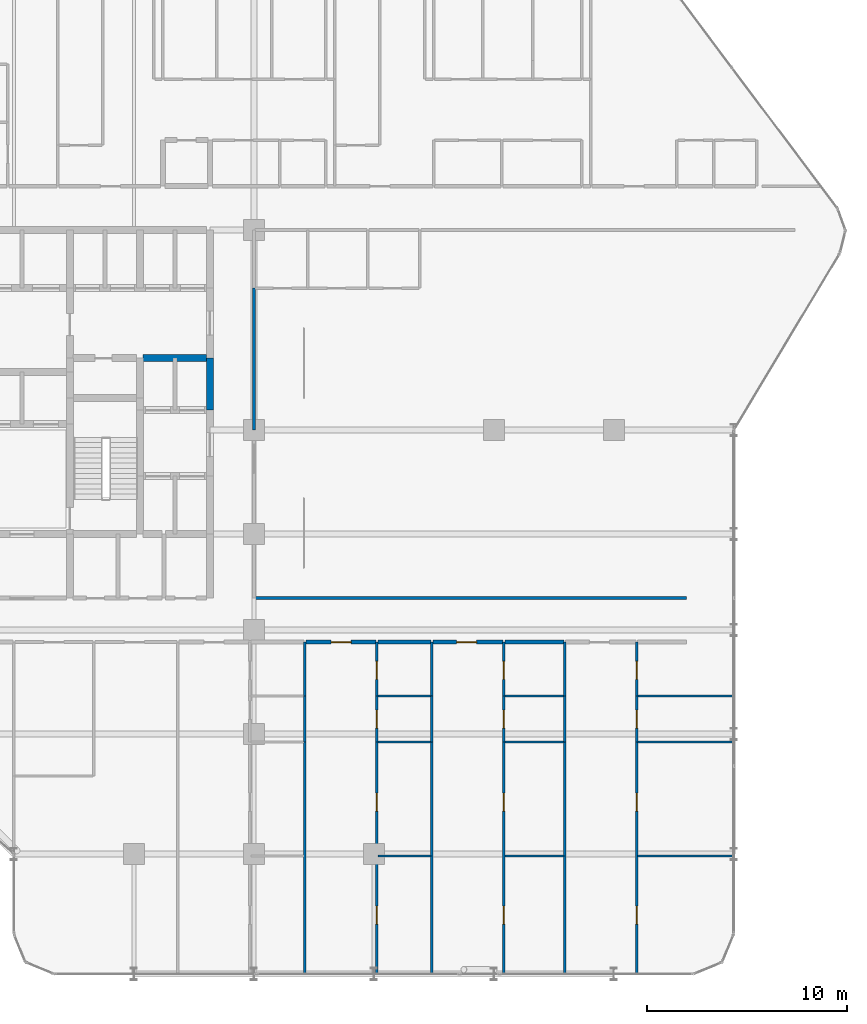
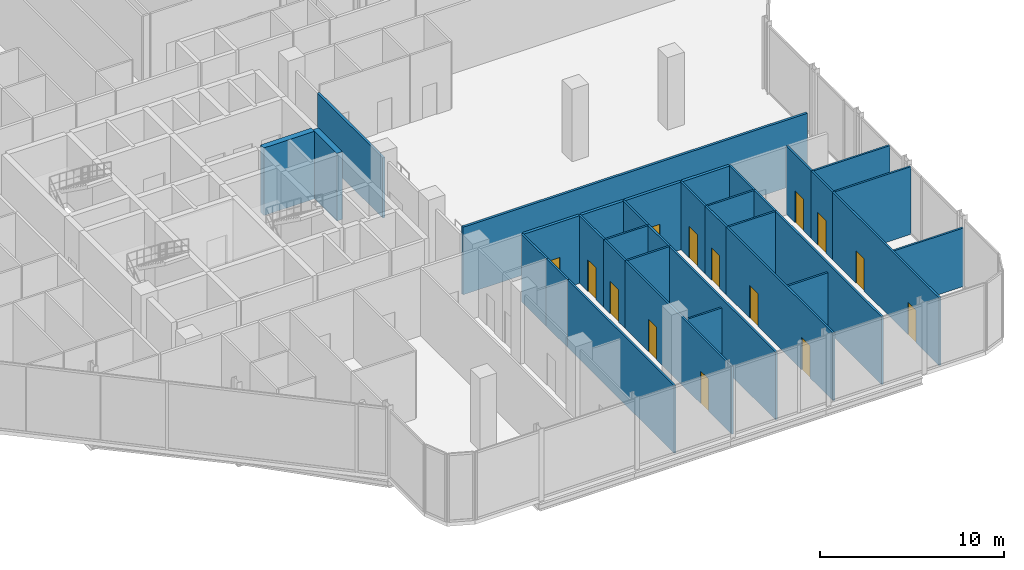
# One storey, part 25 of 29: 35 walls, 14 doors, 14 openings.
"""IFC4 building model written with IfcOpenShell, lengths in metres."""

from ifc_helpers import new_model, si_unit, direction, frame, frame_2d, origin, place, context, subcontext, project, spatial, rectangle, extrude, material, layer, layer_set, type_object, element, fill, save


model = new_model("IFC4")

# Units and contexts
model_context = context("Model", 3, precision=1e-05, world=origin(), true_north=direction((0.0, 1.0)))
body_context = subcontext(model_context, "Body", "Model", "MODEL_VIEW")
ifc_project = project(units=[si_unit("LENGTHUNIT", "METRE"), si_unit("AREAUNIT", "SQUARE_METRE"), si_unit("VOLUMEUNIT", "CUBIC_METRE"), si_unit("PLANEANGLEUNIT", "RADIAN"), si_unit("MASSUNIT", "GRAM", prefix="KILO")], contexts=[model_context])

# Site, building, storey
site_placement = place(None, origin())
site = spatial("IfcSite", under=ifc_project, at=site_placement, CompositionType="ELEMENT")
building_placement = place(site_placement, origin())
building = spatial("IfcBuilding", under=site, at=building_placement, Name="Keshet Zoharim Tower", CompositionType="ELEMENT")
storey_placement = place(building_placement, frame((0.0, 0.0, 120.5)))
storey = spatial("IfcBuildingStorey", under=building, at=storey_placement, Name="L29", CompositionType="ELEMENT", Elevation=120.5)

# Walls
ifc_material_1 = material(Name="Gypsum Plasterboard", Category="gypsum")
ifc_layer_1 = layer(ifc_material_1, 0.14990234375)
ifc_layer_set_1 = layer_set([ifc_layer_1], Name="Gypsum Plasterboard")
wall_type_1 = type_object("IfcWallType", Name="WL-CLIN-150", PredefinedType="STANDARD", material=ifc_layer_set_1)
wall_1_placement = place(storey_placement, frame((33.06005859375, 19.5, 0.0), z_axis=(0.0, 0.0, 1.0), x_axis=(1.0, 0.0, 0.0)))
element("IfcWall", 1, at=wall_1_placement, inside=storey, type_object=wall_type_1, Name="L29 Interior Wall 148", PredefinedType="STANDARD", context=body_context, shape_type="SweptSolid", body=[
    extrude(rectangle(XDim=21.579833984375, YDim=0.14990234375, at=frame_2d((10.7900390625, 0.0))), origin(), (0.0, 0.0, 1.0), 4.47998046875),
])
wall_2_placement = place(storey_placement, frame((33.0, 27.89990234375, 0.0), z_axis=(0.0, 0.0, 1.0), x_axis=(0.0, 1.0, 0.0)))
element("IfcWall", 2, at=wall_2_placement, inside=storey, type_object=wall_type_1, Name="L29 Interior Wall 071 Part 2", PredefinedType="STANDARD", context=body_context, shape_type="SweptSolid", body=[
    extrude(rectangle(XDim=7.10009765625, YDim=0.14990234375, at=frame_2d((3.550048828125, 0.0))), origin(), (0.0, 0.0, 1.0), 3.97998046875),
])
ifc_material_2 = material(Name="Concrete C60/75", Category="concrete")
ifc_layer_2 = layer(ifc_material_2, 0.35009765625)
ifc_layer_set_2 = layer_set([ifc_layer_2], Name="Concrete C60/75")
wall_type_2 = type_object("IfcWallType", Name="WL-CORE-350", PredefinedType="SHEAR", material=ifc_layer_set_2)
wall_3_placement = place(storey_placement, frame((30.800048828125, 28.89990234375, 0.0), z_axis=(0.0, 0.0, 1.0), x_axis=(0.0, 1.0, 0.0)))
element("IfcWall", 3, at=wall_3_placement, inside=storey, type_object=wall_type_2, Name="L29 Core Shear Wall 063", PredefinedType="SHEAR", context=body_context, shape_type="SweptSolid", body=[
    extrude(rectangle(XDim=2.60009765625, YDim=0.35009765625, at=frame_2d((1.300048828125, 0.0))), origin(), (0.0, 0.0, 1.0), 4.47998046875),
])
wall_4_placement = place(storey_placement, frame((27.4599609375, 31.5, 0.0), z_axis=(0.0, 0.0, 1.0), x_axis=(1.0, 0.0, 0.0)))
element("IfcWall", 4, at=wall_4_placement, inside=storey, type_object=wall_type_2, Name="L29 Core Shear Wall 171", PredefinedType="SHEAR", context=body_context, shape_type="SweptSolid", body=[
    extrude(rectangle(XDim=3.179931640625, YDim=0.35009765625, at=frame_2d((1.58984375, 0.0))), origin(), (0.0, 0.0, 1.0), 4.47998046875),
])

# Wall, opening, door
ifc_layer_3 = layer(ifc_material_1, 0.179931640625)
ifc_layer_set_3 = layer_set([ifc_layer_3], Name="Gypsum Plasterboard")
wall_type_3 = type_object("IfcWallType", Name="WL-CORR-180", PredefinedType="STANDARD", material=ifc_layer_set_3)
wall_5_placement = place(storey_placement, frame((35.60498046875, 17.300048828125, 0.0), z_axis=(0.0, 0.0, 1.0), x_axis=(1.0, 0.0, 0.0)))
wall_5 = element("IfcWall", 5, at=wall_5_placement, inside=storey, type_object=wall_type_3, Name="L29 Interior Wall 138", PredefinedType="STANDARD", context=body_context, shape_type="SweptSolid", body=[
    extrude(rectangle(XDim=3.510009765625, YDim=0.179931640625, at=frame_2d((1.7548828125, 0.0))), origin(), (0.0, 0.0, 1.0), 4.47998046875),
])
opening_1_placement = place(wall_5_placement, frame((1.2548828125, 0.0, 0.0)))
opening_1 = element("IfcOpeningElement", 6, at=opening_1_placement, cuts=wall_5, Name="Opening D-F310", PredefinedType="OPENING", context=body_context, shape_type="SweptSolid", body=[
    extrude(rectangle(XDim=1.0, YDim=2.14990234375, at=frame_2d((0.5, 1.074951171875))), frame((0.0, 0.10009765625, 0.0), z_axis=(0.0, -1.0, 0.0), x_axis=(1.0, 0.0, 0.0)), (0.0, 0.0, 1.0), 0.199951171875),
])
ifc_material_3 = material(Name="Hardwood Timber", Category="wood")
door_type_1 = type_object("IfcDoorType", Name="DR-FD30-100", OperationType="NOTDEFINED", PredefinedType="DOOR", material=ifc_material_3)
door_1_placement = place(opening_1_placement, origin())
door_1 = element("IfcDoor", 7, at=door_1_placement, inside=storey, type_object=door_type_1, Name="Apartment 2903 Entrance Door", OperationType="SINGLE_SWING_RIGHT", OverallHeight=2.14990234375, OverallWidth=1.0, PredefinedType="DOOR", context=body_context, shape_type="SweptSolid", body=[
    extrude(rectangle(XDim=1.0, YDim=2.14990234375, at=frame_2d((0.5, 1.074951171875))), frame((0.0, 0.02490234375, 0.0), z_axis=(0.0, -1.0, 0.0), x_axis=(1.0, 0.0, 0.0)), (0.0, 0.0, 1.0), 0.050048828125),
])
fill(opening_1, door_1)

# Wall
wall_6_placement = place(storey_placement, frame((39.205078125, 17.300048828125, 0.0), z_axis=(0.0, 0.0, 1.0), x_axis=(1.0, 0.0, 0.0)))
element("IfcWall", 8, at=wall_6_placement, inside=storey, type_object=wall_type_3, Name="L29 Interior Wall 139", PredefinedType="STANDARD", context=body_context, shape_type="SweptSolid", body=[
    extrude(rectangle(XDim=2.659912109375, YDim=0.179931640625, at=frame_2d((1.330078125, 0.0))), origin(), (0.0, 0.0, 1.0), 4.47998046875),
])

# Wall, opening, door
wall_7_placement = place(storey_placement, frame((41.955078125, 17.300048828125, 0.0), z_axis=(0.0, 0.0, 1.0), x_axis=(1.0, 0.0, 0.0)))
wall_7 = element("IfcWall", 9, at=wall_7_placement, inside=storey, type_object=wall_type_3, Name="L29 Interior Wall 140", PredefinedType="STANDARD", context=body_context, shape_type="SweptSolid", body=[
    extrude(rectangle(XDim=3.510009765625, YDim=0.179931640625, at=frame_2d((1.7548828125, 0.0))), origin(), (0.0, 0.0, 1.0), 4.47998046875),
])
opening_2_placement = place(wall_7_placement, frame((1.18505859375, 0.0, 0.0)))
opening_2 = element("IfcOpeningElement", 10, at=opening_2_placement, cuts=wall_7, Name="Opening D-F310", PredefinedType="OPENING", context=body_context, shape_type="SweptSolid", body=[
    extrude(rectangle(XDim=1.0, YDim=2.14990234375, at=frame_2d((0.5, 1.074951171875))), frame((0.0, 0.10009765625, 0.0), z_axis=(0.0, -1.0, 0.0), x_axis=(1.0, 0.0, 0.0)), (0.0, 0.0, 1.0), 0.199951171875),
])
door_2_placement = place(opening_2_placement, origin())
door_2 = element("IfcDoor", 11, at=door_2_placement, inside=storey, type_object=door_type_1, Name="Apartment 2904 Entrance Door", OperationType="SINGLE_SWING_LEFT", OverallHeight=2.14990234375, OverallWidth=1.0, PredefinedType="DOOR", context=body_context, shape_type="SweptSolid", body=[
    extrude(rectangle(XDim=1.0, YDim=2.14990234375, at=frame_2d((0.5, 1.074951171875))), frame((0.0, 0.02490234375, 0.0), z_axis=(0.0, -1.0, 0.0), x_axis=(1.0, 0.0, 0.0)), (0.0, 0.0, 1.0), 0.050048828125),
])
fill(opening_2, door_2)

# Walls
wall_8_placement = place(storey_placement, frame((45.554931640625, 17.300048828125, 0.0), z_axis=(0.0, 0.0, 1.0), x_axis=(1.0, 0.0, 0.0)))
element("IfcWall", 12, at=wall_8_placement, inside=storey, type_object=wall_type_3, Name="L29 Interior Wall 141", PredefinedType="STANDARD", context=body_context, shape_type="SweptSolid", body=[
    extrude(rectangle(XDim=2.949951171875, YDim=0.179931640625, at=frame_2d((1.47509765625, 0.0))), origin(), (0.0, 0.0, 1.0), 4.47998046875),
])
ifc_layer_4 = layer(ifc_material_1, 0.1201171875)
ifc_layer_set_4 = layer_set([ifc_layer_4], Name="Gypsum Plasterboard")
wall_type_4 = type_object("IfcWallType", Name="WL-PART-120", PredefinedType="PARTITIONING", material=ifc_layer_set_4)
wall_9_placement = place(storey_placement, frame((35.550048828125, 0.7099609375, 0.0), z_axis=(0.0, 0.0, 1.0), x_axis=(0.0, 1.0, 0.0)))
element("IfcWall", 13, at=wall_9_placement, inside=storey, type_object=wall_type_4, Name="L29 Interior Wall 075", PredefinedType="PARTITIONING", context=body_context, shape_type="SweptSolid", body=[
    extrude(rectangle(XDim=11.590087890625, YDim=0.1201171875, at=frame_2d((5.794921875, 0.0))), origin(), (0.0, 0.0, 1.0), 4.47998046875),
])
wall_10_placement = place(storey_placement, frame((35.550048828125, 12.300048828125, 0.0), z_axis=(0.0, 0.0, 1.0), x_axis=(0.0, 1.0, 0.0)))
element("IfcWall", 14, at=wall_10_placement, inside=storey, type_object=wall_type_4, Name="L29 Interior Wall 076", PredefinedType="PARTITIONING", context=body_context, shape_type="SweptSolid", body=[
    extrude(rectangle(XDim=2.300048828125, YDim=0.1201171875, at=frame_2d((1.14990234375, 0.0))), origin(), (0.0, 0.0, 1.0), 4.47998046875),
])

# Wall, openings, doors
wall_11_placement = place(storey_placement, frame((39.14990234375, 0.7099609375, 0.0), z_axis=(0.0, 0.0, 1.0), x_axis=(0.0, 1.0, 0.0)))
wall_11 = element("IfcWall", 15, at=wall_11_placement, inside=storey, type_object=wall_type_4, Name="L29 Interior Wall 085", PredefinedType="PARTITIONING", context=body_context, shape_type="SweptSolid", body=[
    extrude(rectangle(XDim=11.590087890625, YDim=0.1201171875, at=frame_2d((5.794921875, 0.0))), origin(), (0.0, 0.0, 1.0), 4.47998046875),
])
opening_3_placement = place(wall_11_placement, frame((2.489990234375, 0.0, 0.0)))
opening_3 = element("IfcOpeningElement", 16, at=opening_3_placement, cuts=wall_11, Name="Opening D-IN90", PredefinedType="OPENING", context=body_context, shape_type="SweptSolid", body=[
    extrude(rectangle(XDim=0.89990234375, YDim=2.14990234375, at=frame_2d((0.449951171875, 1.074951171875))), frame((0.0, 0.070068359375, 0.0), z_axis=(0.0, -1.0, 0.0), x_axis=(1.0, 0.0, 0.0)), (0.0, 0.0, 1.0), 0.14013671875),
])
opening_4_placement = place(wall_11_placement, frame((8.133056640625, 0.0, 0.0)))
opening_4 = element("IfcOpeningElement", 17, at=opening_4_placement, cuts=wall_11, Name="Opening D-IN90", PredefinedType="OPENING", context=body_context, shape_type="SweptSolid", body=[
    extrude(rectangle(XDim=0.89990234375, YDim=2.14990234375, at=frame_2d((0.449951171875, 1.074951171875))), frame((0.0, 0.070068359375, 0.0), z_axis=(0.0, -1.0, 0.0), x_axis=(1.0, 0.0, 0.0)), (0.0, 0.0, 1.0), 0.14013671875),
])
door_type_2 = type_object("IfcDoorType", Name="DR-INT-090", OperationType="NOTDEFINED", PredefinedType="DOOR", material=ifc_material_3)
door_3_placement = place(opening_3_placement, origin())
door_3 = element("IfcDoor", 18, at=door_3_placement, inside=storey, type_object=door_type_2, Name="Apartment 2903 Bedroom 1 Door", OperationType="SINGLE_SWING_RIGHT", OverallHeight=2.14990234375, OverallWidth=0.89990234375, PredefinedType="DOOR", context=body_context, shape_type="SweptSolid", body=[
    extrude(rectangle(XDim=0.89990234375, YDim=2.14990234375, at=frame_2d((0.449951171875, 1.074951171875))), frame((0.0, 0.02490234375, 0.0), z_axis=(0.0, -1.0, 0.0), x_axis=(1.0, 0.0, 0.0)), (0.0, 0.0, 1.0), 0.050048828125),
])
fill(opening_3, door_3)
door_4_placement = place(opening_4_placement, origin())
door_4 = element("IfcDoor", 19, at=door_4_placement, inside=storey, type_object=door_type_2, Name="Apartment 2903 Bedroom 2 Door", OperationType="SINGLE_SWING_LEFT", OverallHeight=2.14990234375, OverallWidth=0.89990234375, PredefinedType="DOOR", context=body_context, shape_type="SweptSolid", body=[
    extrude(rectangle(XDim=0.89990234375, YDim=2.14990234375, at=frame_2d((0.449951171875, 1.074951171875))), frame((0.0, 0.02490234375, 0.0), z_axis=(0.0, -1.0, 0.0), x_axis=(1.0, 0.0, 0.0)), (0.0, 0.0, 1.0), 0.050048828125),
])
fill(opening_4, door_4)

# Wall, opening, door
wall_12_placement = place(storey_placement, frame((39.14990234375, 12.300048828125, 0.0), z_axis=(0.0, 0.0, 1.0), x_axis=(0.0, 1.0, 0.0)))
wall_12 = element("IfcWall", 20, at=wall_12_placement, inside=storey, type_object=wall_type_4, Name="L29 Interior Wall 086", PredefinedType="PARTITIONING", context=body_context, shape_type="SweptSolid", body=[
    extrude(rectangle(XDim=2.300048828125, YDim=0.1201171875, at=frame_2d((1.14990234375, 0.0))), origin(), (0.0, 0.0, 1.0), 4.47998046875),
])
opening_5_placement = place(wall_12_placement, frame((0.699951171875, 0.0, 0.0)))
opening_5 = element("IfcOpeningElement", 21, at=opening_5_placement, cuts=wall_12, Name="Opening D-IN90", PredefinedType="OPENING", context=body_context, shape_type="SweptSolid", body=[
    extrude(rectangle(XDim=0.89990234375, YDim=2.14990234375, at=frame_2d((0.449951171875, 1.074951171875))), frame((0.0, 0.070068359375, 0.0), z_axis=(0.0, -1.0, 0.0), x_axis=(1.0, 0.0, 0.0)), (0.0, 0.0, 1.0), 0.14013671875),
])
door_5_placement = place(opening_5_placement, origin())
door_5 = element("IfcDoor", 22, at=door_5_placement, inside=storey, type_object=door_type_2, Name="Apartment 2903 Kitchen Door", OperationType="SINGLE_SWING_RIGHT", OverallHeight=2.14990234375, OverallWidth=0.89990234375, PredefinedType="DOOR", context=body_context, shape_type="SweptSolid", body=[
    extrude(rectangle(XDim=0.89990234375, YDim=2.14990234375, at=frame_2d((0.449951171875, 1.074951171875))), frame((0.0, 0.02490234375, 0.0), z_axis=(0.0, -1.0, 0.0), x_axis=(1.0, 0.0, 0.0)), (0.0, 0.0, 1.0), 0.050048828125),
])
fill(opening_5, door_5)

# Walls
wall_13_placement = place(storey_placement, frame((41.89990234375, 0.7099609375, 0.0), z_axis=(0.0, 0.0, 1.0), x_axis=(0.0, 1.0, 0.0)))
element("IfcWall", 23, at=wall_13_placement, inside=storey, type_object=wall_type_4, Name="L29 Interior Wall 091", PredefinedType="PARTITIONING", context=body_context, shape_type="SweptSolid", body=[
    extrude(rectangle(XDim=11.590087890625, YDim=0.1201171875, at=frame_2d((5.794921875, 0.0))), origin(), (0.0, 0.0, 1.0), 4.47998046875),
])
wall_14_placement = place(storey_placement, frame((41.89990234375, 12.300048828125, 0.0), z_axis=(0.0, 0.0, 1.0), x_axis=(0.0, 1.0, 0.0)))
element("IfcWall", 24, at=wall_14_placement, inside=storey, type_object=wall_type_4, Name="L29 Interior Wall 092", PredefinedType="PARTITIONING", context=body_context, shape_type="SweptSolid", body=[
    extrude(rectangle(XDim=2.300048828125, YDim=0.1201171875, at=frame_2d((1.14990234375, 0.0))), origin(), (0.0, 0.0, 1.0), 4.47998046875),
])

# Wall, openings, doors
wall_15_placement = place(storey_placement, frame((45.5, 0.7099609375, 0.0), z_axis=(0.0, 0.0, 1.0), x_axis=(0.0, 1.0, 0.0)))
wall_15 = element("IfcWall", 25, at=wall_15_placement, inside=storey, type_object=wall_type_4, Name="L29 Interior Wall 098", PredefinedType="PARTITIONING", context=body_context, shape_type="SweptSolid", body=[
    extrude(rectangle(XDim=11.590087890625, YDim=0.1201171875, at=frame_2d((5.794921875, 0.0))), origin(), (0.0, 0.0, 1.0), 4.47998046875),
])
opening_6_placement = place(wall_15_placement, frame((2.489990234375, 0.0, 0.0)))
opening_6 = element("IfcOpeningElement", 26, at=opening_6_placement, cuts=wall_15, Name="Opening D-IN90", PredefinedType="OPENING", context=body_context, shape_type="SweptSolid", body=[
    extrude(rectangle(XDim=0.89990234375, YDim=2.14990234375, at=frame_2d((0.449951171875, 1.074951171875))), frame((0.0, 0.070068359375, 0.0), z_axis=(0.0, -1.0, 0.0), x_axis=(1.0, 0.0, 0.0)), (0.0, 0.0, 1.0), 0.14013671875),
])
opening_7_placement = place(wall_15_placement, frame((8.133056640625, 0.0, 0.0)))
opening_7 = element("IfcOpeningElement", 27, at=opening_7_placement, cuts=wall_15, Name="Opening D-IN90", PredefinedType="OPENING", context=body_context, shape_type="SweptSolid", body=[
    extrude(rectangle(XDim=0.89990234375, YDim=2.14990234375, at=frame_2d((0.449951171875, 1.074951171875))), frame((0.0, 0.070068359375, 0.0), z_axis=(0.0, -1.0, 0.0), x_axis=(1.0, 0.0, 0.0)), (0.0, 0.0, 1.0), 0.14013671875),
])
door_6_placement = place(opening_6_placement, origin())
door_6 = element("IfcDoor", 28, at=door_6_placement, inside=storey, type_object=door_type_2, Name="Apartment 2904 Bedroom 1 Door", OperationType="SINGLE_SWING_RIGHT", OverallHeight=2.14990234375, OverallWidth=0.89990234375, PredefinedType="DOOR", context=body_context, shape_type="SweptSolid", body=[
    extrude(rectangle(XDim=0.89990234375, YDim=2.14990234375, at=frame_2d((0.449951171875, 1.074951171875))), frame((0.0, 0.02490234375, 0.0), z_axis=(0.0, -1.0, 0.0), x_axis=(1.0, 0.0, 0.0)), (0.0, 0.0, 1.0), 0.050048828125),
])
fill(opening_6, door_6)
door_7_placement = place(opening_7_placement, origin())
door_7 = element("IfcDoor", 29, at=door_7_placement, inside=storey, type_object=door_type_2, Name="Apartment 2904 Bedroom 2 Door", OperationType="SINGLE_SWING_LEFT", OverallHeight=2.14990234375, OverallWidth=0.89990234375, PredefinedType="DOOR", context=body_context, shape_type="SweptSolid", body=[
    extrude(rectangle(XDim=0.89990234375, YDim=2.14990234375, at=frame_2d((0.449951171875, 1.074951171875))), frame((0.0, 0.02490234375, 0.0), z_axis=(0.0, -1.0, 0.0), x_axis=(1.0, 0.0, 0.0)), (0.0, 0.0, 1.0), 0.050048828125),
])
fill(opening_7, door_7)

# Wall, opening, door
wall_16_placement = place(storey_placement, frame((45.5, 12.300048828125, 0.0), z_axis=(0.0, 0.0, 1.0), x_axis=(0.0, 1.0, 0.0)))
wall_16 = element("IfcWall", 30, at=wall_16_placement, inside=storey, type_object=wall_type_4, Name="L29 Interior Wall 099", PredefinedType="PARTITIONING", context=body_context, shape_type="SweptSolid", body=[
    extrude(rectangle(XDim=2.300048828125, YDim=0.1201171875, at=frame_2d((1.14990234375, 0.0))), origin(), (0.0, 0.0, 1.0), 4.47998046875),
])
opening_8_placement = place(wall_16_placement, frame((0.699951171875, 0.0, 0.0)))
opening_8 = element("IfcOpeningElement", 31, at=opening_8_placement, cuts=wall_16, Name="Opening D-IN90", PredefinedType="OPENING", context=body_context, shape_type="SweptSolid", body=[
    extrude(rectangle(XDim=0.89990234375, YDim=2.14990234375, at=frame_2d((0.449951171875, 1.074951171875))), frame((0.0, 0.070068359375, 0.0), z_axis=(0.0, -1.0, 0.0), x_axis=(1.0, 0.0, 0.0)), (0.0, 0.0, 1.0), 0.14013671875),
])
door_8_placement = place(opening_8_placement, origin())
door_8 = element("IfcDoor", 32, at=door_8_placement, inside=storey, type_object=door_type_2, Name="Apartment 2904 Kitchen Door", OperationType="SINGLE_SWING_RIGHT", OverallHeight=2.14990234375, OverallWidth=0.89990234375, PredefinedType="DOOR", context=body_context, shape_type="SweptSolid", body=[
    extrude(rectangle(XDim=0.89990234375, YDim=2.14990234375, at=frame_2d((0.449951171875, 1.074951171875))), frame((0.0, 0.02490234375, 0.0), z_axis=(0.0, -1.0, 0.0), x_axis=(1.0, 0.0, 0.0)), (0.0, 0.0, 1.0), 0.050048828125),
])
fill(opening_8, door_8)

# Walls
wall_17_placement = place(storey_placement, frame((48.550048828125, 0.7099609375, 0.0), z_axis=(0.0, 0.0, 1.0), x_axis=(0.0, 1.0, 0.0)))
element("IfcWall", 33, at=wall_17_placement, inside=storey, type_object=wall_type_4, Name="L29 Interior Wall 102", PredefinedType="PARTITIONING", context=body_context, shape_type="SweptSolid", body=[
    extrude(rectangle(XDim=11.590087890625, YDim=0.1201171875, at=frame_2d((5.794921875, 0.0))), origin(), (0.0, 0.0, 1.0), 4.47998046875),
])
wall_18_placement = place(storey_placement, frame((48.550048828125, 12.300048828125, 0.0), z_axis=(0.0, 0.0, 1.0), x_axis=(0.0, 1.0, 0.0)))
element("IfcWall", 34, at=wall_18_placement, inside=storey, type_object=wall_type_4, Name="L29 Interior Wall 103", PredefinedType="PARTITIONING", context=body_context, shape_type="SweptSolid", body=[
    extrude(rectangle(XDim=2.300048828125, YDim=0.1201171875, at=frame_2d((1.14990234375, 0.0))), origin(), (0.0, 0.0, 1.0), 4.47998046875),
])

# Wall, openings, doors
wall_19_placement = place(storey_placement, frame((52.14990234375, 0.7099609375, 0.0), z_axis=(0.0, 0.0, 1.0), x_axis=(0.0, 1.0, 0.0)))
wall_19 = element("IfcWall", 35, at=wall_19_placement, inside=storey, type_object=wall_type_4, Name="L29 Interior Wall 109", PredefinedType="PARTITIONING", context=body_context, shape_type="SweptSolid", body=[
    extrude(rectangle(XDim=11.590087890625, YDim=0.1201171875, at=frame_2d((5.794921875, 0.0))), origin(), (0.0, 0.0, 1.0), 4.47998046875),
])
opening_9_placement = place(wall_19_placement, frame((2.489990234375, 0.0, 0.0)))
opening_9 = element("IfcOpeningElement", 36, at=opening_9_placement, cuts=wall_19, Name="Opening D-IN90", PredefinedType="OPENING", context=body_context, shape_type="SweptSolid", body=[
    extrude(rectangle(XDim=0.89990234375, YDim=2.14990234375, at=frame_2d((0.449951171875, 1.074951171875))), frame((0.0, 0.070068359375, 0.0), z_axis=(0.0, -1.0, 0.0), x_axis=(1.0, 0.0, 0.0)), (0.0, 0.0, 1.0), 0.14013671875),
])
opening_10_placement = place(wall_19_placement, frame((8.133056640625, 0.0, 0.0)))
opening_10 = element("IfcOpeningElement", 37, at=opening_10_placement, cuts=wall_19, Name="Opening D-IN90", PredefinedType="OPENING", context=body_context, shape_type="SweptSolid", body=[
    extrude(rectangle(XDim=0.89990234375, YDim=2.14990234375, at=frame_2d((0.449951171875, 1.074951171875))), frame((0.0, 0.070068359375, 0.0), z_axis=(0.0, -1.0, 0.0), x_axis=(1.0, 0.0, 0.0)), (0.0, 0.0, 1.0), 0.14013671875),
])
door_9_placement = place(opening_9_placement, origin())
door_9 = element("IfcDoor", 38, at=door_9_placement, inside=storey, type_object=door_type_2, Name="Apartment 2905 Bedroom 1 Door", OperationType="SINGLE_SWING_RIGHT", OverallHeight=2.14990234375, OverallWidth=0.89990234375, PredefinedType="DOOR", context=body_context, shape_type="SweptSolid", body=[
    extrude(rectangle(XDim=0.89990234375, YDim=2.14990234375, at=frame_2d((0.449951171875, 1.074951171875))), frame((0.0, 0.02490234375, 0.0), z_axis=(0.0, -1.0, 0.0), x_axis=(1.0, 0.0, 0.0)), (0.0, 0.0, 1.0), 0.050048828125),
])
fill(opening_9, door_9)
door_10_placement = place(opening_10_placement, origin())
door_10 = element("IfcDoor", 39, at=door_10_placement, inside=storey, type_object=door_type_2, Name="Apartment 2905 Bedroom 2 Door", OperationType="SINGLE_SWING_LEFT", OverallHeight=2.14990234375, OverallWidth=0.89990234375, PredefinedType="DOOR", context=body_context, shape_type="SweptSolid", body=[
    extrude(rectangle(XDim=0.89990234375, YDim=2.14990234375, at=frame_2d((0.449951171875, 1.074951171875))), frame((0.0, 0.02490234375, 0.0), z_axis=(0.0, -1.0, 0.0), x_axis=(1.0, 0.0, 0.0)), (0.0, 0.0, 1.0), 0.050048828125),
])
fill(opening_10, door_10)

# Wall, opening, door
wall_20_placement = place(storey_placement, frame((52.14990234375, 12.300048828125, 0.0), z_axis=(0.0, 0.0, 1.0), x_axis=(0.0, 1.0, 0.0)))
wall_20 = element("IfcWall", 40, at=wall_20_placement, inside=storey, type_object=wall_type_4, Name="L29 Interior Wall 110", PredefinedType="PARTITIONING", context=body_context, shape_type="SweptSolid", body=[
    extrude(rectangle(XDim=2.300048828125, YDim=0.1201171875, at=frame_2d((1.14990234375, 0.0))), origin(), (0.0, 0.0, 1.0), 4.47998046875),
])
opening_11_placement = place(wall_20_placement, frame((0.699951171875, 0.0, 0.0)))
opening_11 = element("IfcOpeningElement", 41, at=opening_11_placement, cuts=wall_20, Name="Opening D-IN90", PredefinedType="OPENING", context=body_context, shape_type="SweptSolid", body=[
    extrude(rectangle(XDim=0.89990234375, YDim=2.14990234375, at=frame_2d((0.449951171875, 1.074951171875))), frame((0.0, 0.070068359375, 0.0), z_axis=(0.0, -1.0, 0.0), x_axis=(1.0, 0.0, 0.0)), (0.0, 0.0, 1.0), 0.14013671875),
])
door_11_placement = place(opening_11_placement, origin())
door_11 = element("IfcDoor", 42, at=door_11_placement, inside=storey, type_object=door_type_2, Name="Apartment 2905 Kitchen Door", OperationType="SINGLE_SWING_RIGHT", OverallHeight=2.14990234375, OverallWidth=0.89990234375, PredefinedType="DOOR", context=body_context, shape_type="SweptSolid", body=[
    extrude(rectangle(XDim=0.89990234375, YDim=2.14990234375, at=frame_2d((0.449951171875, 1.074951171875))), frame((0.0, 0.02490234375, 0.0), z_axis=(0.0, -1.0, 0.0), x_axis=(1.0, 0.0, 0.0)), (0.0, 0.0, 1.0), 0.050048828125),
])
fill(opening_11, door_11)

# Walls
wall_21_placement = place(storey_placement, frame((39.205078125, 6.60009765625, 0.0), z_axis=(0.0, 0.0, 1.0), x_axis=(1.0, 0.0, 0.0)))
element("IfcWall", 43, at=wall_21_placement, inside=storey, type_object=wall_type_4, Name="L29 Interior Wall 116", PredefinedType="PARTITIONING", context=body_context, shape_type="SweptSolid", body=[
    extrude(rectangle(XDim=2.659912109375, YDim=0.1201171875, at=frame_2d((1.330078125, 0.0))), origin(), (0.0, 0.0, 1.0), 3.8798828125),
])
wall_22_placement = place(storey_placement, frame((45.554931640625, 6.60009765625, 0.0), z_axis=(0.0, 0.0, 1.0), x_axis=(1.0, 0.0, 0.0)))
element("IfcWall", 44, at=wall_22_placement, inside=storey, type_object=wall_type_4, Name="L29 Interior Wall 117", PredefinedType="PARTITIONING", context=body_context, shape_type="SweptSolid", body=[
    extrude(rectangle(XDim=2.949951171875, YDim=0.1201171875, at=frame_2d((1.47509765625, 0.0))), origin(), (0.0, 0.0, 1.0), 3.8798828125),
])
wall_23_placement = place(storey_placement, frame((52.195068359375, 6.60009765625, 0.0), z_axis=(0.0, 0.0, 1.0), x_axis=(1.0, 0.0, 0.0)))
element("IfcWall", 45, at=wall_23_placement, inside=storey, type_object=wall_type_4, Name="L29 Interior Wall 118", PredefinedType="PARTITIONING", context=body_context, shape_type="SweptSolid", body=[
    extrude(rectangle(XDim=4.794921875, YDim=0.1201171875, at=frame_2d((2.3974609375, 0.0))), origin(), (0.0, 0.0, 1.0), 3.8798828125),
])
wall_24_placement = place(storey_placement, frame((39.205078125, 12.300048828125, 0.0), z_axis=(0.0, 0.0, 1.0), x_axis=(1.0, 0.0, 0.0)))
element("IfcWall", 46, at=wall_24_placement, inside=storey, type_object=wall_type_4, Name="L29 Interior Wall 122", PredefinedType="PARTITIONING", context=body_context, shape_type="SweptSolid", body=[
    extrude(rectangle(XDim=2.659912109375, YDim=0.1201171875, at=frame_2d((1.330078125, 0.0))), origin(), (0.0, 0.0, 1.0), 4.47998046875),
])
wall_25_placement = place(storey_placement, frame((45.554931640625, 12.300048828125, 0.0), z_axis=(0.0, 0.0, 1.0), x_axis=(1.0, 0.0, 0.0)))
element("IfcWall", 47, at=wall_25_placement, inside=storey, type_object=wall_type_4, Name="L29 Interior Wall 123", PredefinedType="PARTITIONING", context=body_context, shape_type="SweptSolid", body=[
    extrude(rectangle(XDim=2.949951171875, YDim=0.1201171875, at=frame_2d((1.47509765625, 0.0))), origin(), (0.0, 0.0, 1.0), 4.47998046875),
])
wall_26_placement = place(storey_placement, frame((52.195068359375, 12.300048828125, 0.0), z_axis=(0.0, 0.0, 1.0), x_axis=(1.0, 0.0, 0.0)))
element("IfcWall", 48, at=wall_26_placement, inside=storey, type_object=wall_type_4, Name="L29 Interior Wall 124", PredefinedType="PARTITIONING", context=body_context, shape_type="SweptSolid", body=[
    extrude(rectangle(XDim=4.794921875, YDim=0.1201171875, at=frame_2d((2.3974609375, 0.0))), origin(), (0.0, 0.0, 1.0), 4.47998046875),
])
ifc_layer_5 = layer(ifc_material_1, 0.1201171875)
ifc_layer_set_5 = layer_set([ifc_layer_5], Name="Gypsum Plasterboard")
wall_type_5 = type_object("IfcWallType", Name="WL-WET-120", PredefinedType="PARTITIONING", material=ifc_layer_set_5)
wall_27_placement = place(storey_placement, frame((35.550048828125, 14.60009765625, 0.0), z_axis=(0.0, 0.0, 1.0), x_axis=(0.0, 1.0, 0.0)))
element("IfcWall", 49, at=wall_27_placement, inside=storey, type_object=wall_type_5, Name="L29 Interior Wall 077", PredefinedType="PARTITIONING", context=body_context, shape_type="SweptSolid", body=[
    extrude(rectangle(XDim=2.699951171875, YDim=0.1201171875, at=frame_2d((1.35009765625, 0.0))), origin(), (0.0, 0.0, 1.0), 4.47998046875),
])

# Wall, opening, door
wall_28_placement = place(storey_placement, frame((39.14990234375, 14.60009765625, 0.0), z_axis=(0.0, 0.0, 1.0), x_axis=(0.0, 1.0, 0.0)))
wall_28 = element("IfcWall", 50, at=wall_28_placement, inside=storey, type_object=wall_type_5, Name="L29 Interior Wall 087", PredefinedType="PARTITIONING", context=body_context, shape_type="SweptSolid", body=[
    extrude(rectangle(XDim=2.699951171875, YDim=0.1201171875, at=frame_2d((1.35009765625, 0.0))), origin(), (0.0, 0.0, 1.0), 4.47998046875),
])
opening_12_placement = place(wall_28_placement, frame((0.827880859375, 0.0, 0.0)))
opening_12 = element("IfcOpeningElement", 51, at=opening_12_placement, cuts=wall_28, Name="Opening D-WT90", PredefinedType="OPENING", context=body_context, shape_type="SweptSolid", body=[
    extrude(rectangle(XDim=0.89990234375, YDim=2.10009765625, at=frame_2d((0.449951171875, 1.050048828125))), frame((0.0, 0.070068359375, 0.0), z_axis=(0.0, -1.0, 0.0), x_axis=(1.0, 0.0, 0.0)), (0.0, 0.0, 1.0), 0.14013671875),
])
door_type_3 = type_object("IfcDoorType", Name="DR-WET-090", OperationType="NOTDEFINED", PredefinedType="DOOR", material=ifc_material_3)
door_12_placement = place(opening_12_placement, origin())
door_12 = element("IfcDoor", 52, at=door_12_placement, inside=storey, type_object=door_type_3, Name="Apartment 2903 Bathroom Door", OperationType="SINGLE_SWING_LEFT", OverallHeight=2.10009765625, OverallWidth=0.89990234375, PredefinedType="DOOR", context=body_context, shape_type="SweptSolid", body=[
    extrude(rectangle(XDim=0.89990234375, YDim=2.10009765625, at=frame_2d((0.449951171875, 1.050048828125))), frame((0.0, 0.02490234375, 0.0), z_axis=(0.0, -1.0, 0.0), x_axis=(1.0, 0.0, 0.0)), (0.0, 0.0, 1.0), 0.050048828125),
])
fill(opening_12, door_12)

# Wall
wall_29_placement = place(storey_placement, frame((41.89990234375, 14.60009765625, 0.0), z_axis=(0.0, 0.0, 1.0), x_axis=(0.0, 1.0, 0.0)))
element("IfcWall", 53, at=wall_29_placement, inside=storey, type_object=wall_type_5, Name="L29 Interior Wall 093", PredefinedType="PARTITIONING", context=body_context, shape_type="SweptSolid", body=[
    extrude(rectangle(XDim=2.699951171875, YDim=0.1201171875, at=frame_2d((1.35009765625, 0.0))), origin(), (0.0, 0.0, 1.0), 4.47998046875),
])

# Wall, opening, door
wall_30_placement = place(storey_placement, frame((45.5, 14.60009765625, 0.0), z_axis=(0.0, 0.0, 1.0), x_axis=(0.0, 1.0, 0.0)))
wall_30 = element("IfcWall", 54, at=wall_30_placement, inside=storey, type_object=wall_type_5, Name="L29 Interior Wall 100", PredefinedType="PARTITIONING", context=body_context, shape_type="SweptSolid", body=[
    extrude(rectangle(XDim=2.699951171875, YDim=0.1201171875, at=frame_2d((1.35009765625, 0.0))), origin(), (0.0, 0.0, 1.0), 4.47998046875),
])
opening_13_placement = place(wall_30_placement, frame((0.827880859375, 0.0, 0.0)))
opening_13 = element("IfcOpeningElement", 55, at=opening_13_placement, cuts=wall_30, Name="Opening D-WT90", PredefinedType="OPENING", context=body_context, shape_type="SweptSolid", body=[
    extrude(rectangle(XDim=0.89990234375, YDim=2.10009765625, at=frame_2d((0.449951171875, 1.050048828125))), frame((0.0, 0.070068359375, 0.0), z_axis=(0.0, -1.0, 0.0), x_axis=(1.0, 0.0, 0.0)), (0.0, 0.0, 1.0), 0.14013671875),
])
door_13_placement = place(opening_13_placement, origin())
door_13 = element("IfcDoor", 56, at=door_13_placement, inside=storey, type_object=door_type_3, Name="Apartment 2904 Bathroom Door", OperationType="SINGLE_SWING_LEFT", OverallHeight=2.10009765625, OverallWidth=0.89990234375, PredefinedType="DOOR", context=body_context, shape_type="SweptSolid", body=[
    extrude(rectangle(XDim=0.89990234375, YDim=2.10009765625, at=frame_2d((0.449951171875, 1.050048828125))), frame((0.0, 0.02490234375, 0.0), z_axis=(0.0, -1.0, 0.0), x_axis=(1.0, 0.0, 0.0)), (0.0, 0.0, 1.0), 0.050048828125),
])
fill(opening_13, door_13)

# Wall
wall_31_placement = place(storey_placement, frame((48.550048828125, 14.60009765625, 0.0), z_axis=(0.0, 0.0, 1.0), x_axis=(0.0, 1.0, 0.0)))
element("IfcWall", 57, at=wall_31_placement, inside=storey, type_object=wall_type_5, Name="L29 Interior Wall 104", PredefinedType="PARTITIONING", context=body_context, shape_type="SweptSolid", body=[
    extrude(rectangle(XDim=2.699951171875, YDim=0.1201171875, at=frame_2d((1.35009765625, 0.0))), origin(), (0.0, 0.0, 1.0), 4.47998046875),
])

# Wall, opening, door
wall_32_placement = place(storey_placement, frame((52.14990234375, 14.60009765625, 0.0), z_axis=(0.0, 0.0, 1.0), x_axis=(0.0, 1.0, 0.0)))
wall_32 = element("IfcWall", 58, at=wall_32_placement, inside=storey, type_object=wall_type_5, Name="L29 Interior Wall 111", PredefinedType="PARTITIONING", context=body_context, shape_type="SweptSolid", body=[
    extrude(rectangle(XDim=2.699951171875, YDim=0.1201171875, at=frame_2d((1.35009765625, 0.0))), origin(), (0.0, 0.0, 1.0), 4.47998046875),
])
opening_14_placement = place(wall_32_placement, frame((0.827880859375, 0.0, 0.0)))
opening_14 = element("IfcOpeningElement", 59, at=opening_14_placement, cuts=wall_32, Name="Opening D-WT90", PredefinedType="OPENING", context=body_context, shape_type="SweptSolid", body=[
    extrude(rectangle(XDim=0.89990234375, YDim=2.10009765625, at=frame_2d((0.449951171875, 1.050048828125))), frame((0.0, 0.070068359375, 0.0), z_axis=(0.0, -1.0, 0.0), x_axis=(1.0, 0.0, 0.0)), (0.0, 0.0, 1.0), 0.14013671875),
])
door_14_placement = place(opening_14_placement, origin())
door_14 = element("IfcDoor", 60, at=door_14_placement, inside=storey, type_object=door_type_3, Name="Apartment 2905 Bathroom Door", OperationType="SINGLE_SWING_LEFT", OverallHeight=2.10009765625, OverallWidth=0.89990234375, PredefinedType="DOOR", context=body_context, shape_type="SweptSolid", body=[
    extrude(rectangle(XDim=0.89990234375, YDim=2.10009765625, at=frame_2d((0.449951171875, 1.050048828125))), frame((0.0, 0.02490234375, 0.0), z_axis=(0.0, -1.0, 0.0), x_axis=(1.0, 0.0, 0.0)), (0.0, 0.0, 1.0), 0.050048828125),
])
fill(opening_14, door_14)

# Walls
wall_33_placement = place(storey_placement, frame((39.205078125, 14.60009765625, 0.0), z_axis=(0.0, 0.0, 1.0), x_axis=(1.0, 0.0, 0.0)))
element("IfcWall", 61, at=wall_33_placement, inside=storey, type_object=wall_type_5, Name="L29 Interior Wall 127", PredefinedType="PARTITIONING", context=body_context, shape_type="SweptSolid", body=[
    extrude(rectangle(XDim=2.659912109375, YDim=0.1201171875, at=frame_2d((1.330078125, 0.0))), origin(), (0.0, 0.0, 1.0), 4.47998046875),
])
wall_34_placement = place(storey_placement, frame((45.554931640625, 14.60009765625, 0.0), z_axis=(0.0, 0.0, 1.0), x_axis=(1.0, 0.0, 0.0)))
element("IfcWall", 62, at=wall_34_placement, inside=storey, type_object=wall_type_5, Name="L29 Interior Wall 128", PredefinedType="PARTITIONING", context=body_context, shape_type="SweptSolid", body=[
    extrude(rectangle(XDim=2.949951171875, YDim=0.1201171875, at=frame_2d((1.47509765625, 0.0))), origin(), (0.0, 0.0, 1.0), 4.47998046875),
])
wall_35_placement = place(storey_placement, frame((52.195068359375, 14.60009765625, 0.0), z_axis=(0.0, 0.0, 1.0), x_axis=(1.0, 0.0, 0.0)))
element("IfcWall", 63, at=wall_35_placement, inside=storey, type_object=wall_type_5, Name="L29 Interior Wall 129", PredefinedType="PARTITIONING", context=body_context, shape_type="SweptSolid", body=[
    extrude(rectangle(XDim=4.794921875, YDim=0.1201171875, at=frame_2d((2.3974609375, 0.0))), origin(), (0.0, 0.0, 1.0), 4.47998046875),
])

save(model, "model.ifc")
